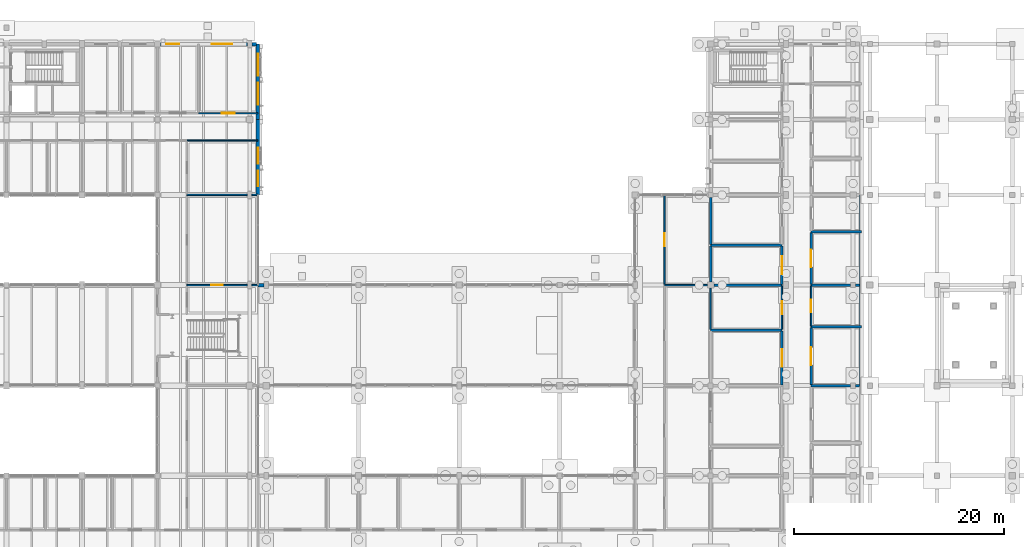
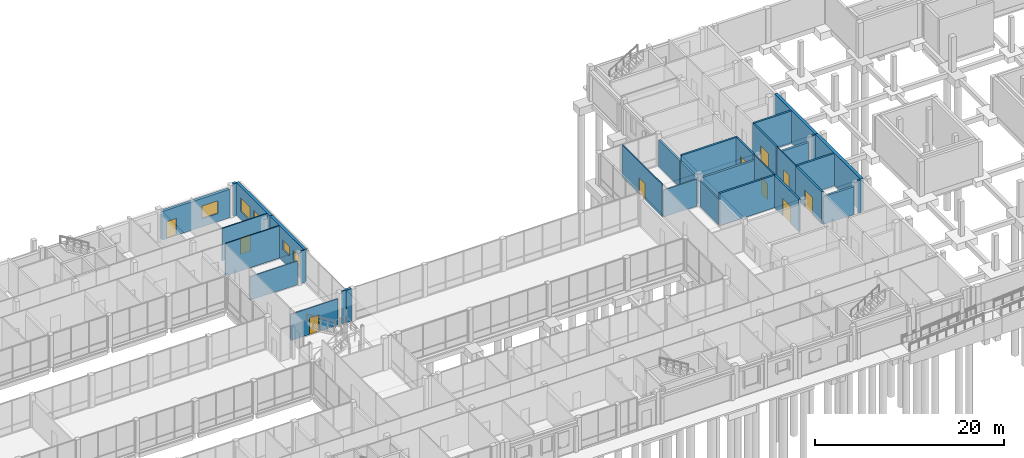
# One storey, part 81 of 104: 33 walls, 10 doors, 5 windows, 15 openings.
"""IFC4 building model written with IfcOpenShell, lengths in metres."""

import ifcopenshell
import ifcopenshell.guid

model = None  # the IFC model being written
_history = None  # IfcOwnerHistory: only IFC2X3 demands one
_inside = {}  # id of a spatial element -> (the spatial element, [elements in it])
_under = {}  # id of a project, library or spatial element -> (it, [spatial elements below it])
_declared = {}  # id of a project -> (the project, [libraries it declares])
_typed = {}  # id of a type object -> (the type object, [elements of that type])
_made_of = {}  # id of a material, layer set ... -> (it, [elements and type objects made of it])


def new_model(schema):
    """Start an empty IFC model of exactly this schema.

    Asked for "IFC4X3", IfcOpenShell would pick the latest addendum, in which some entities
    have other attributes; the version numbers below select the first issue.
    IFC2X3 requires an IfcOwnerHistory on every rooted entity: one is made here for all.
    """
    global model, _history
    if schema == "IFC4X3":
        model = ifcopenshell.file(schema_version=(4, 3, 0, 0))
    else:
        model = ifcopenshell.file(schema=schema)
    _inside.clear()
    _under.clear()
    _declared.clear()
    _typed.clear()
    _made_of.clear()
    _history = None
    if model.schema == "IFC2X3":
        org = make("IfcOrganization", Name="unknown")
        user = make(
            "IfcPersonAndOrganization",
            ThePerson=make("IfcPerson", FamilyName="unknown"),
            TheOrganization=org,
        )
        app = make(
            "IfcApplication",
            ApplicationDeveloper=org,
            Version="unknown",
            ApplicationFullName="unknown",
            ApplicationIdentifier="unknown",
        )
        _history = make(
            "IfcOwnerHistory",
            OwningUser=user,
            OwningApplication=app,
            ChangeAction="ADDED",
            CreationDate=0,
        )
    return model


def make(cls, **values):
    """One entity of the class cls with the attributes given. An attribute that is None is left unset."""
    return model.create_entity(
        cls, **{name: value for name, value in values.items() if value is not None}
    )


def rooted(cls, **values):
    """An entity with a GlobalId (a new one), such as an element, a storey or a relation."""
    return make(cls, GlobalId=ifcopenshell.guid.new(), OwnerHistory=_history, **values)


def si_unit(unit_type, name, prefix=None):
    """IfcSIUnit, for example si_unit("LENGTHUNIT", "METRE", prefix="MILLI")."""
    return make("IfcSIUnit", UnitType=unit_type, Prefix=prefix, Name=name)


def assignment(units):
    """IfcUnitAssignment: the units of a project."""
    return None if units is None else make("IfcUnitAssignment", Units=units)


def point(xyz):
    """IfcCartesianPoint."""
    return None if xyz is None else make("IfcCartesianPoint", Coordinates=xyz)


def direction(xyz):
    """IfcDirection."""
    return None if xyz is None else make("IfcDirection", DirectionRatios=xyz)


def frame(location, z_axis=None, x_axis=None):
    """IfcAxis2Placement3D, a coordinate frame: its origin and axes. An axis left out is left unset."""
    return make(
        "IfcAxis2Placement3D",
        Location=point(location),
        Axis=direction(z_axis),
        RefDirection=direction(x_axis),
    )


def frame_2d(location, x_axis=None):
    """IfcAxis2Placement2D, a coordinate frame in the plane: its origin and x axis."""
    return make(
        "IfcAxis2Placement2D", Location=point(location), RefDirection=direction(x_axis)
    )


def origin():
    """The frame at (0, 0, 0) with its axes left unset."""
    return frame((0.0, 0.0, 0.0))


def place(relative_to, where):
    """IfcLocalPlacement: puts the frame where relative to a parent placement (None: the world)."""
    return make(
        "IfcLocalPlacement", PlacementRelTo=relative_to, RelativePlacement=where
    )


def context(
    kind, dimensions, precision=None, world=None, true_north=None, identifier=None
):
    """IfcGeometricRepresentationContext, for example the 3D "Model" context."""
    return make(
        "IfcGeometricRepresentationContext",
        ContextIdentifier=identifier,
        ContextType=kind,
        CoordinateSpaceDimension=dimensions,
        Precision=precision,
        WorldCoordinateSystem=world,
        TrueNorth=true_north,
    )


def subcontext(parent, identifier, kind, view, scale=None):
    """IfcGeometricRepresentationSubContext, for example "Body" below "Model"."""
    return make(
        "IfcGeometricRepresentationSubContext",
        ContextIdentifier=identifier,
        ContextType=kind,
        ParentContext=parent,
        TargetScale=scale,
        TargetView=view,
    )


def project(units=None, contexts=None):
    """IfcProject with its units and contexts."""
    return rooted(
        "IfcProject",
        Name="project",
        RepresentationContexts=contexts,
        UnitsInContext=assignment(units),
    )


def spatial(cls, under=None, at=None, **own):
    """A site, building, storey or space (cls), placed at a placement, below another one or the project."""
    s = rooted(cls, ObjectPlacement=at, **own)
    if under is not None:
        _under.setdefault(under.id(), (under, []))[1].append(s)
    return s


def profile(cls, at=None, kind="AREA", **sizes):
    """A parametric profile (cls). Its sizes go by their IFC names, for example OverallWidth=200.0."""
    return make(cls, ProfileType=kind, Position=at, **sizes)


def rectangle(**sizes):
    """IfcRectangleProfileDef."""
    return profile("IfcRectangleProfileDef", **sizes)


def extrude(swept, where, along, depth):
    """IfcExtrudedAreaSolid: the profile swept, set in the frame where, extruded along a direction by depth."""
    return make(
        "IfcExtrudedAreaSolid",
        SweptArea=swept,
        Position=where,
        ExtrudedDirection=direction(along),
        Depth=depth,
    )


def shape(context_of_items, identifier, shape_type, items):
    """IfcShapeRepresentation: the items that make up one representation, for example the "Body"."""
    return make(
        "IfcShapeRepresentation",
        ContextOfItems=context_of_items,
        RepresentationIdentifier=identifier,
        RepresentationType=shape_type,
        Items=items,
    )


def material(Name=None, Category=None):
    """IfcMaterial."""
    return make("IfcMaterial", Name=Name, Category=Category)


def layer(
    of_material, thickness, ventilated=None, Name=None, Category=None, Priority=None
):
    """IfcMaterialLayer: one layer of a wall or slab, of a material (None: an air gap)."""
    return make(
        "IfcMaterialLayer",
        Material=of_material,
        LayerThickness=thickness,
        IsVentilated=ventilated,
        Name=Name,
        Category=Category,
        Priority=Priority,
    )


def layer_set(layers, Name=None):
    """IfcMaterialLayerSet."""
    return make("IfcMaterialLayerSet", MaterialLayers=layers, LayerSetName=Name)


def made_of(thing, what):
    """Note that an element or type object is made of a material, layer set ...; save() writes the relation."""
    if what is not None:
        _made_of.setdefault(what.id(), (what, []))[1].append(thing)
    return thing


def type_object(cls, material=None, **own):
    """A type object (cls), such as IfcWallType, which elements share."""
    return made_of(rooted(cls, **own), material)


def element(
    cls,
    number,
    at=None,
    inside=None,
    cuts=None,
    type_object=None,
    material=None,
    context=None,
    identifier="Body",
    shape_type=None,
    held_by="IfcProductDefinitionShape",
    body=None,
    shapes=None,
    **own,
):
    """One element of the class cls, such as IfcWall. Its Tag is "e" and its number.

    at: its placement. inside: the storey or other place that contains it. cuts: it is an
    opening in that element (IfcRelVoidsElement). A single representation is given by context,
    identifier, shape_type and body (its items); several are given by shapes. held_by: the class
    of the entity that holds the representations. save() writes the other relations.
    """
    e = rooted(cls, Tag="e%d" % number, ObjectPlacement=at, **own)
    if body is not None:
        shapes = [shape(context, identifier, shape_type, body)]
    if shapes is not None:
        e.Representation = make(held_by, Representations=shapes)
    if inside is not None:
        _inside.setdefault(inside.id(), (inside, []))[1].append(e)
    if cuts is not None:
        rooted(
            "IfcRelVoidsElement", RelatingBuildingElement=cuts, RelatedOpeningElement=e
        )
    if type_object is not None:
        _typed.setdefault(type_object.id(), (type_object, []))[1].append(e)
    return made_of(e, material)


def fill(opening, filler):
    """IfcRelFillsElement: the door or window that sits in an opening."""
    return rooted(
        "IfcRelFillsElement",
        RelatingOpeningElement=opening,
        RelatedBuildingElement=filler,
    )


def aggregate(whole, parts):
    """IfcRelAggregates: a whole, such as a stair, and the parts it consists of."""
    return rooted("IfcRelAggregates", RelatingObject=whole, RelatedObjects=parts)


def save(model, path):
    """Write the relations noted so far, then the file.

    IfcRelAggregates (storeys below a building ...), IfcRelContainedInSpatialStructure (elements
    in a storey), IfcRelDefinesByType, IfcRelAssociatesMaterial and IfcRelDeclares: one each for
    every whole, place, type object, material and project.
    """
    for whole, parts in _under.values():
        aggregate(whole, parts)
    for where, things in _inside.values():
        rooted(
            "IfcRelContainedInSpatialStructure",
            RelatedElements=things,
            RelatingStructure=where,
        )
    for kind, things in _typed.values():
        rooted("IfcRelDefinesByType", RelatedObjects=things, RelatingType=kind)
    for what, things in _made_of.values():
        rooted("IfcRelAssociatesMaterial", RelatedObjects=things, RelatingMaterial=what)
    for by, libraries in _declared.values():
        rooted("IfcRelDeclares", RelatingContext=by, RelatedDefinitions=libraries)
    model.write(path)


model = new_model("IFC4")

# Units and contexts
model_context = context("Model", 3, precision=1e-05, world=origin(), true_north=direction((0.0, 1.0)))
body_context = subcontext(model_context, "Body", "Model", "MODEL_VIEW")
ifc_project = project(units=[si_unit("LENGTHUNIT", "METRE"), si_unit("AREAUNIT", "SQUARE_METRE"), si_unit("VOLUMEUNIT", "CUBIC_METRE"), si_unit("PLANEANGLEUNIT", "RADIAN"), si_unit("MASSUNIT", "GRAM", prefix="KILO")], contexts=[model_context])

# Site, building, storey
site_placement = place(None, origin())
site = spatial("IfcSite", under=ifc_project, at=site_placement, CompositionType="ELEMENT")
building_placement = place(site_placement, origin())
building = spatial("IfcBuilding", under=site, at=building_placement, Name="Hawrajan Terrace Health Centre", CompositionType="ELEMENT")
storey_placement = place(building_placement, origin())
storey = spatial("IfcBuildingStorey", under=building, at=storey_placement, Name="L00", CompositionType="ELEMENT", Elevation=0.0)

# Wall, opening, door
ifc_material_1 = material(Name="Gypsum board on acoustic stud framing")
ifc_layer_1 = layer(ifc_material_1, 0.139892578125)
ifc_layer_set_1 = layer_set([ifc_layer_1], Name="Gypsum board on acoustic stud framing")
wall_type_1 = type_object("IfcWallType", Name="ClinicalAcousticWall_140", PredefinedType="PARTITIONING", material=ifc_layer_set_1)
wall_1_placement = place(storey_placement, frame((65.0, 36.800048828125, 0.0), z_axis=(0.0, 0.0, 1.0), x_axis=(1.0, 0.0, 0.0)))
wall_1 = element("IfcWall", 1, at=wall_1_placement, inside=storey, type_object=wall_type_1, Name="Interior wall IW-L00-0352", PredefinedType="PARTITIONING", context=body_context, shape_type="SweptSolid", body=[
    extrude(rectangle(XDim=5.77490234375, YDim=0.139892578125, at=frame_2d((2.887451171875, 0.0))), origin(), (0.0, 0.0, 1.0), 3.39990234375),
])
opening_1_placement = place(wall_1_placement, frame((2.327392578125, 0.0, 0.0)))
opening_1 = element("IfcOpeningElement", 2, at=opening_1_placement, cuts=wall_1, Name="Opening D-L00-138", PredefinedType="OPENING", context=body_context, shape_type="SweptSolid", body=[
    extrude(rectangle(XDim=1.1201171875, YDim=2.14990234375, at=frame_2d((0.56005859375, 1.074951171875))), frame((0.0, 0.079833984375, 0.0), z_axis=(0.0, -1.0, 0.0), x_axis=(1.0, 0.0, 0.0)), (0.0, 0.0, 1.0), 0.159912109375),
])
ifc_material_2 = material(Name="Hardwood acoustic clinical door leaf and frame", Category="wood")
door_type_1 = type_object("IfcDoorType", Name="DentalSurgeryDoor_1120x2150", OperationType="NOTDEFINED", PredefinedType="DOOR", material=ifc_material_2)
door_1_placement = place(opening_1_placement, origin())
door_1 = element("IfcDoor", 3, at=door_1_placement, inside=storey, type_object=door_type_1, Name="Interior door D-L00-138", OperationType="SINGLE_SWING_RIGHT", OverallHeight=2.14990234375, OverallWidth=1.1201171875, PredefinedType="DOOR", context=body_context, shape_type="SweptSolid", body=[
    extrude(rectangle(XDim=1.1201171875, YDim=2.14990234375, at=frame_2d((0.56005859375, 1.074951171875))), frame((0.0, 0.02490234375, 0.0), z_axis=(0.0, -1.0, 0.0), x_axis=(1.0, 0.0, 0.0)), (0.0, 0.0, 1.0), 0.050048828125),
])
fill(opening_1, door_1)

# Walls
wall_2_placement = place(storey_placement, frame((71.22509765625, 36.800048828125, 0.0), z_axis=(0.0, 0.0, 1.0), x_axis=(1.0, 0.0, 0.0)))
element("IfcWall", 4, at=wall_2_placement, inside=storey, type_object=wall_type_1, Name="Interior wall IW-L00-0353", PredefinedType="PARTITIONING", context=body_context, shape_type="SweptSolid", body=[
    extrude(rectangle(XDim=0.56982421875, YDim=0.139892578125, at=frame_2d((0.284912109375, 0.0))), origin(), (0.0, 0.0, 1.0), 4.179931640625),
])
wall_3_placement = place(storey_placement, frame((65.0, 45.39990234375, 0.0), z_axis=(0.0, 0.0, 1.0), x_axis=(1.0, 0.0, 0.0)))
element("IfcWall", 5, at=wall_3_placement, inside=storey, type_object=wall_type_1, Name="Interior wall IW-L00-0355", PredefinedType="PARTITIONING", context=body_context, shape_type="SweptSolid", body=[
    extrude(rectangle(XDim=5.77490234375, YDim=0.139892578125, at=frame_2d((2.887451171875, 0.0))), origin(), (0.0, 0.0, 1.0), 3.050048828125),
])
wall_4_placement = place(storey_placement, frame((71.22509765625, 45.39990234375, 0.0), z_axis=(0.0, 0.0, 1.0), x_axis=(1.0, 0.0, 0.0)))
element("IfcWall", 6, at=wall_4_placement, inside=storey, type_object=wall_type_1, Name="Interior wall IW-L00-0356", PredefinedType="PARTITIONING", context=body_context, shape_type="SweptSolid", body=[
    extrude(rectangle(XDim=0.56982421875, YDim=0.139892578125, at=frame_2d((0.284912109375, 0.0))), origin(), (0.0, 0.0, 1.0), 4.179931640625),
])
wall_5_placement = place(storey_placement, frame((65.0, 50.60009765625, 0.0), z_axis=(0.0, 0.0, 1.0), x_axis=(1.0, 0.0, 0.0)))
element("IfcWall", 7, at=wall_5_placement, inside=storey, type_object=wall_type_1, Name="Interior wall IW-L00-0357", PredefinedType="PARTITIONING", context=body_context, shape_type="SweptSolid", body=[
    extrude(rectangle(XDim=6.794921875, YDim=0.139892578125, at=frame_2d((3.3974609375, 0.0))), origin(), (0.0, 0.0, 1.0), 4.179931640625),
])

# Wall, opening, door
wall_6_placement = place(storey_placement, frame((66.10498046875, 53.199951171875, 0.0), z_axis=(0.0, 0.0, 1.0), x_axis=(1.0, 0.0, 0.0)))
wall_6 = element("IfcWall", 8, at=wall_6_placement, inside=storey, type_object=wall_type_1, Name="Interior wall IW-L00-0361", PredefinedType="PARTITIONING", context=body_context, shape_type="SweptSolid", body=[
    extrude(rectangle(XDim=5.68994140625, YDim=0.139892578125, at=frame_2d((2.844970703125, 0.0))), origin(), (0.0, 0.0, 1.0), 4.179931640625),
])
opening_2_placement = place(wall_6_placement, frame((2.235107421875, 0.0, 0.0)))
opening_2 = element("IfcOpeningElement", 9, at=opening_2_placement, cuts=wall_6, Name="Opening D-L00-182", PredefinedType="OPENING", context=body_context, shape_type="SweptSolid", body=[
    extrude(rectangle(XDim=1.219970703125, YDim=2.10009765625, at=frame_2d((0.60986328125, 1.050048828125))), frame((0.0, 0.079833984375, 0.0), z_axis=(0.0, -1.0, 0.0), x_axis=(1.0, 0.0, 0.0)), (0.0, 0.0, 1.0), 0.159912109375),
])
door_type_2 = type_object("IfcDoorType", Name="ConsultDoor_1220x2100", OperationType="NOTDEFINED", PredefinedType="DOOR", material=ifc_material_2)
door_2_placement = place(opening_2_placement, origin())
door_2 = element("IfcDoor", 10, at=door_2_placement, inside=storey, type_object=door_type_2, Name="Interior door D-L00-182", OperationType="SINGLE_SWING_RIGHT", OverallHeight=2.10009765625, OverallWidth=1.219970703125, PredefinedType="DOOR", context=body_context, shape_type="SweptSolid", body=[
    extrude(rectangle(XDim=1.219970703125, YDim=2.10009765625, at=frame_2d((0.60986328125, 1.050048828125))), frame((0.0, 0.02490234375, 0.0), z_axis=(0.0, -1.0, 0.0), x_axis=(1.0, 0.0, 0.0)), (0.0, 0.0, 1.0), 0.050048828125),
])
fill(opening_2, door_2)

wall_7_placement = place(storey_placement, frame((110.60009765625, 36.8701171875, 0.0), z_axis=(0.0, 0.0, 1.0), x_axis=(0.0, 1.0, 0.0)))
wall_7 = element("IfcWall", 11, at=wall_7_placement, inside=storey, type_object=wall_type_1, Name="Interior wall IW-L00-0400", PredefinedType="PARTITIONING", context=body_context, shape_type="SweptSolid", body=[
    extrude(rectangle(XDim=8.52978515625, YDim=0.139892578125, at=frame_2d((4.264892578125, 0.0))), origin(), (0.0, 0.0, 1.0), 4.179931640625),
])
opening_3_placement = place(wall_7_placement, frame((3.655029296875, 0.0, 0.0)))
opening_3 = element("IfcOpeningElement", 12, at=opening_3_placement, cuts=wall_7, Name="Opening D-L00-152", PredefinedType="OPENING", context=body_context, shape_type="SweptSolid", body=[
    extrude(rectangle(XDim=1.219970703125, YDim=2.10009765625, at=frame_2d((0.60986328125, 1.050048828125))), frame((0.0, 0.079833984375, 0.0), z_axis=(0.0, -1.0, 0.0), x_axis=(1.0, 0.0, 0.0)), (0.0, 0.0, 1.0), 0.159912109375),
])
door_3_placement = place(opening_3_placement, origin())
door_3 = element("IfcDoor", 13, at=door_3_placement, inside=storey, type_object=door_type_2, Name="Interior door D-L00-152", OperationType="SINGLE_SWING_RIGHT", OverallHeight=2.10009765625, OverallWidth=1.219970703125, PredefinedType="DOOR", context=body_context, shape_type="SweptSolid", body=[
    extrude(rectangle(XDim=1.219970703125, YDim=2.10009765625, at=frame_2d((0.60986328125, 1.050048828125))), frame((0.0, 0.02490234375, 0.0), z_axis=(0.0, -1.0, 0.0), x_axis=(1.0, 0.0, 0.0)), (0.0, 0.0, 1.0), 0.050048828125),
])
fill(opening_3, door_3)

# Walls
wall_8_placement = place(storey_placement, frame((110.60009765625, 36.800048828125, 0.0), z_axis=(0.0, 0.0, 1.0), x_axis=(1.0, 0.0, 0.0)))
element("IfcWall", 14, at=wall_8_placement, inside=storey, type_object=wall_type_1, Name="Interior wall IW-L00-0401", PredefinedType="PARTITIONING", context=body_context, shape_type="SweptSolid", body=[
    extrude(rectangle(XDim=4.099853515625, YDim=0.139892578125, at=frame_2d((2.0498046875, 0.0))), origin(), (0.0, 0.0, 1.0), 3.5),
])
wall_9_placement = place(storey_placement, frame((115.0, 32.56005859375, 0.0), z_axis=(0.0, 0.0, 1.0), x_axis=(0.0, 1.0, 0.0)))
element("IfcWall", 15, at=wall_9_placement, inside=storey, type_object=wall_type_1, Name="Interior wall IW-L00-0415", PredefinedType="PARTITIONING", context=body_context, shape_type="SweptSolid", body=[
    extrude(rectangle(XDim=3.93994140625, YDim=0.139892578125, at=frame_2d((1.969970703125, 0.0))), origin(), (0.0, 0.0, 1.0), 3.39990234375),
])

# Wall, opening, door
wall_10_placement = place(storey_placement, frame((121.800048828125, 32.56005859375, 0.0), z_axis=(0.0, 0.0, 1.0), x_axis=(0.0, 1.0, 0.0)))
wall_10 = element("IfcWall", 16, at=wall_10_placement, inside=storey, type_object=wall_type_1, Name="Interior wall IW-L00-0430", PredefinedType="PARTITIONING", context=body_context, shape_type="SweptSolid", body=[
    extrude(rectangle(XDim=4.169921875, YDim=0.139892578125, at=frame_2d((2.0849609375, 0.0))), origin(), (0.0, 0.0, 1.0), 4.179931640625),
])
opening_4_placement = place(wall_10_placement, frame((1.47509765625, 0.0, 0.0)))
opening_4 = element("IfcOpeningElement", 17, at=opening_4_placement, cuts=wall_10, Name="Opening D-L00-222", PredefinedType="OPENING", context=body_context, shape_type="SweptSolid", body=[
    extrude(rectangle(XDim=1.219970703125, YDim=2.10009765625, at=frame_2d((0.60986328125, 1.050048828125))), frame((0.0, 0.079833984375, 0.0), z_axis=(0.0, -1.0, 0.0), x_axis=(1.0, 0.0, 0.0)), (0.0, 0.0, 1.0), 0.159912109375),
])
door_4_placement = place(opening_4_placement, origin())
door_4 = element("IfcDoor", 18, at=door_4_placement, inside=storey, type_object=door_type_2, Name="Interior door D-L00-222", OperationType="SINGLE_SWING_RIGHT", OverallHeight=2.10009765625, OverallWidth=1.219970703125, PredefinedType="DOOR", context=body_context, shape_type="SweptSolid", body=[
    extrude(rectangle(XDim=1.219970703125, YDim=2.10009765625, at=frame_2d((0.60986328125, 1.050048828125))), frame((0.0, 0.02490234375, 0.0), z_axis=(0.0, -1.0, 0.0), x_axis=(1.0, 0.0, 0.0)), (0.0, 0.0, 1.0), 0.050048828125),
])
fill(opening_4, door_4)

wall_11_placement = place(storey_placement, frame((124.60009765625, 32.885986328125, 0.0), z_axis=(0.0, 0.0, 1.0), x_axis=(0.0, 1.0, 0.0)))
wall_11 = element("IfcWall", 19, at=wall_11_placement, inside=storey, type_object=wall_type_1, Name="Interior wall IW-L00-0449", PredefinedType="PARTITIONING", context=body_context, shape_type="SweptSolid", body=[
    extrude(rectangle(XDim=3.843994140625, YDim=0.139892578125, at=frame_2d((1.921875, 0.0))), origin(), (0.0, 0.0, 1.0), 4.179931640625),
])
opening_5_placement = place(wall_11_placement, frame((1.31201171875, 0.0, 0.0)))
opening_5 = element("IfcOpeningElement", 20, at=opening_5_placement, cuts=wall_11, Name="Opening D-L00-232", PredefinedType="OPENING", context=body_context, shape_type="SweptSolid", body=[
    extrude(rectangle(XDim=1.219970703125, YDim=2.10009765625, at=frame_2d((0.60986328125, 1.050048828125))), frame((0.0, 0.079833984375, 0.0), z_axis=(0.0, -1.0, 0.0), x_axis=(1.0, 0.0, 0.0)), (0.0, 0.0, 1.0), 0.159912109375),
])
door_5_placement = place(opening_5_placement, origin())
door_5 = element("IfcDoor", 21, at=door_5_placement, inside=storey, type_object=door_type_2, Name="Interior door D-L00-232", OperationType="SINGLE_SWING_RIGHT", OverallHeight=2.10009765625, OverallWidth=1.219970703125, PredefinedType="DOOR", context=body_context, shape_type="SweptSolid", body=[
    extrude(rectangle(XDim=1.219970703125, YDim=2.10009765625, at=frame_2d((0.60986328125, 1.050048828125))), frame((0.0, 0.02490234375, 0.0), z_axis=(0.0, -1.0, 0.0), x_axis=(1.0, 0.0, 0.0)), (0.0, 0.0, 1.0), 0.050048828125),
])
fill(opening_5, door_5)

# Wall, openings, window, door
ifc_material_3 = material(Name="Precast concrete C40/50", Category="concrete")
ifc_layer_2 = layer(ifc_material_3, 0.340087890625)
ifc_layer_set_2 = layer_set([ifc_layer_2], Name="Precast concrete C40/50")
wall_type_2 = type_object("IfcWallType", Name="CoralAshlarWall_340", PredefinedType="SOLIDWALL", material=ifc_layer_set_2)
wall_12_placement = place(storey_placement, frame((62.5, 59.800048828125, 0.0), z_axis=(0.0, 0.0, 1.0), x_axis=(1.0, 0.0, 0.0)))
wall_12 = element("IfcWall", 22, at=wall_12_placement, inside=storey, type_object=wall_type_2, Name="Exterior wall EW-L00-H08-07-1", PredefinedType="SOLIDWALL", context=body_context, shape_type="SweptSolid", body=[
    extrude(rectangle(XDim=8.27490234375, YDim=0.340087890625, at=frame_2d((4.137451171875, 0.0))), origin(), (0.0, 0.0, 1.0), 3.679931640625),
])
opening_6_placement = place(wall_12_placement, frame((0.550048828125, 0.0, 0.0)))
opening_6 = element("IfcOpeningElement", 23, at=opening_6_placement, cuts=wall_12, Name="Opening D-L00-E010", PredefinedType="OPENING", context=body_context, shape_type="SweptSolid", body=[
    extrude(rectangle(XDim=1.219970703125, YDim=2.199951171875, at=frame_2d((0.60986328125, 1.10009765625))), frame((0.0, 0.179931640625, 0.0), z_axis=(0.0, -1.0, 0.0), x_axis=(1.0, 0.0, 0.0)), (0.0, 0.0, 1.0), 0.360107421875),
])
opening_7_placement = place(wall_12_placement, frame((4.900146484375, 0.0, 1.050048828125)))
opening_7 = element("IfcOpeningElement", 24, at=opening_7_placement, cuts=wall_12, Name="Opening W-L00-031", PredefinedType="OPENING", context=body_context, shape_type="SweptSolid", body=[
    extrude(rectangle(XDim=1.9599609375, YDim=1.64990234375, at=frame_2d((0.97998046875, 0.824951171875))), frame((0.0, 0.179931640625, 0.0), z_axis=(0.0, -1.0, 0.0), x_axis=(1.0, 0.0, 0.0)), (0.0, 0.0, 1.0), 0.360107421875),
])
ifc_material_4 = material(Name="Anodized bronze frame with double low-E glazing", Category="glass")
window_type_1 = type_object("IfcWindowType", Name="FacadeWindow_1960x1650", PartitioningType="DOUBLE_PANEL_VERTICAL", PredefinedType="WINDOW", material=ifc_material_4)
window_1_placement = place(opening_7_placement, origin())
window_1 = element("IfcWindow", 25, at=window_1_placement, inside=storey, type_object=window_type_1, Name="Window W-L00-031", OverallHeight=1.64990234375, OverallWidth=1.9599609375, PartitioningType="DOUBLE_PANEL_VERTICAL", PredefinedType="WINDOW", context=body_context, shape_type="SweptSolid", body=[
    extrude(rectangle(XDim=1.9599609375, YDim=1.64990234375, at=frame_2d((0.97998046875, 0.824951171875))), frame((0.0, 0.030029296875, 0.0), z_axis=(0.0, -1.0, 0.0), x_axis=(1.0, 0.0, 0.0)), (0.0, 0.0, 1.0), 0.06005859375),
])
fill(opening_7, window_1)
ifc_material_5 = material(Name="Anodized bronze thermally broken fire-rated glazed door")
door_type_3 = type_object("IfcDoorType", Name="StairDischargeDoor_1220x2200", OperationType="NOTDEFINED", PredefinedType="DOOR", material=ifc_material_5)
door_6_placement = place(opening_6_placement, origin())
door_6 = element("IfcDoor", 26, at=door_6_placement, inside=storey, type_object=door_type_3, Name="North East Wing Final Exit Door D-L00-E010", OperationType="SINGLE_SWING_RIGHT", OverallHeight=2.199951171875, OverallWidth=1.219970703125, PredefinedType="DOOR", context=body_context, shape_type="SweptSolid", body=[
    extrude(rectangle(XDim=1.219970703125, YDim=2.199951171875, at=frame_2d((0.60986328125, 1.10009765625))), frame((0.0, 0.02490234375, 0.0), z_axis=(0.0, -1.0, 0.0), x_axis=(1.0, 0.0, 0.0)), (0.0, 0.0, 1.0), 0.050048828125),
])
fill(opening_6, door_6)

# Wall
wall_13_placement = place(storey_placement, frame((71.22509765625, 59.800048828125, 0.0), z_axis=(0.0, 0.0, 1.0), x_axis=(1.0, 0.0, 0.0)))
element("IfcWall", 27, at=wall_13_placement, inside=storey, type_object=wall_type_2, Name="Exterior wall EW-L00-H08-07-2", PredefinedType="SOLIDWALL", context=body_context, shape_type="SweptSolid", body=[
    extrude(rectangle(XDim=0.419921875, YDim=0.340087890625, at=frame_2d((0.2099609375, 0.0))), origin(), (0.0, 0.0, 1.0), 4.199951171875),
])

# Wall, openings, windows
wall_14_placement = place(storey_placement, frame((71.794921875, 52.60009765625, 0.0), z_axis=(0.0, 0.0, 1.0), x_axis=(0.0, 1.0, 0.0)))
wall_14 = element("IfcWall", 28, at=wall_14_placement, inside=storey, type_object=wall_type_2, Name="Exterior wall EW-L00-V09-06-1", PredefinedType="SOLIDWALL", context=body_context, shape_type="SweptSolid", body=[
    extrude(rectangle(XDim=7.199951171875, YDim=0.340087890625, at=frame_2d((3.60009765625, 0.0))), origin(), (0.0, 0.0, 1.0), 4.199951171875),
])
opening_8_placement = place(wall_14_placement, frame((1.419921875, 0.0, 1.0)))
opening_8 = element("IfcOpeningElement", 29, at=opening_8_placement, cuts=wall_14, Name="Opening W-L00-032", PredefinedType="OPENING", context=body_context, shape_type="SweptSolid", body=[
    extrude(rectangle(XDim=2.080078125, YDim=1.800048828125, at=frame_2d((1.0400390625, 0.89990234375))), frame((0.0, 0.179931640625, 0.0), z_axis=(0.0, -1.0, 0.0), x_axis=(1.0, 0.0, 0.0)), (0.0, 0.0, 1.0), 0.360107421875),
])
opening_9_placement = place(wall_14_placement, frame((4.179931640625, 0.0, 1.0)))
opening_9 = element("IfcOpeningElement", 30, at=opening_9_placement, cuts=wall_14, Name="Opening W-L00-033", PredefinedType="OPENING", context=body_context, shape_type="SweptSolid", body=[
    extrude(rectangle(XDim=2.080078125, YDim=1.800048828125, at=frame_2d((1.0400390625, 0.89990234375))), frame((0.0, 0.179931640625, 0.0), z_axis=(0.0, -1.0, 0.0), x_axis=(1.0, 0.0, 0.0)), (0.0, 0.0, 1.0), 0.360107421875),
])
window_type_2 = type_object("IfcWindowType", Name="FacadeWindow_2080x1800", PartitioningType="DOUBLE_PANEL_VERTICAL", PredefinedType="WINDOW", material=ifc_material_4)
window_2_placement = place(opening_8_placement, origin())
window_2 = element("IfcWindow", 31, at=window_2_placement, inside=storey, type_object=window_type_2, Name="Window W-L00-032", OverallHeight=1.800048828125, OverallWidth=2.080078125, PartitioningType="DOUBLE_PANEL_VERTICAL", PredefinedType="WINDOW", context=body_context, shape_type="SweptSolid", body=[
    extrude(rectangle(XDim=2.080078125, YDim=1.800048828125, at=frame_2d((1.0400390625, 0.89990234375))), frame((0.0, 0.030029296875, 0.0), z_axis=(0.0, -1.0, 0.0), x_axis=(1.0, 0.0, 0.0)), (0.0, 0.0, 1.0), 0.06005859375),
])
fill(opening_8, window_2)
window_3_placement = place(opening_9_placement, origin())
window_3 = element("IfcWindow", 32, at=window_3_placement, inside=storey, type_object=window_type_2, Name="Window W-L00-033", OverallHeight=1.800048828125, OverallWidth=2.080078125, PartitioningType="DOUBLE_PANEL_VERTICAL", PredefinedType="WINDOW", context=body_context, shape_type="SweptSolid", body=[
    extrude(rectangle(XDim=2.080078125, YDim=1.800048828125, at=frame_2d((1.0400390625, 0.89990234375))), frame((0.0, 0.030029296875, 0.0), z_axis=(0.0, -1.0, 0.0), x_axis=(1.0, 0.0, 0.0)), (0.0, 0.0, 1.0), 0.06005859375),
])
fill(opening_9, window_3)

# Wall
wall_15_placement = place(storey_placement, frame((71.804931640625, 36.800048828125, 0.0), z_axis=(0.0, 0.0, 1.0), x_axis=(1.0, 0.0, 0.0)))
element("IfcWall", 33, at=wall_15_placement, inside=storey, type_object=wall_type_2, Name="Exterior wall EW-L00-H09-04-1", PredefinedType="SOLIDWALL", context=body_context, shape_type="SweptSolid", body=[
    extrude(rectangle(XDim=0.570068359375, YDim=0.340087890625, at=frame_2d((0.28515625, 0.0))), origin(), (0.0, 0.0, 1.0), 4.199951171875),
])

# Wall, openings, windows
ifc_layer_3 = layer(ifc_material_3, 0.360107421875)
ifc_layer_set_3 = layer_set([ifc_layer_3], Name="Precast concrete C40/50")
wall_type_3 = type_object("IfcWallType", Name="CoralPodiumWall_360", PredefinedType="SOLIDWALL", material=ifc_layer_set_3)
wall_16_placement = place(storey_placement, frame((71.794921875, 45.39990234375, 0.0), z_axis=(0.0, 0.0, 1.0), x_axis=(0.0, 1.0, 0.0)))
wall_16 = element("IfcWall", 34, at=wall_16_placement, inside=storey, type_object=wall_type_3, Name="Exterior wall EW-L00-V09-05-1", PredefinedType="SOLIDWALL", context=body_context, shape_type="SweptSolid", body=[
    extrude(rectangle(XDim=7.2001953125, YDim=0.360107421875, at=frame_2d((3.60009765625, 0.0))), origin(), (0.0, 0.0, 1.0), 4.199951171875),
])
opening_10_placement = place(wall_16_placement, frame((0.820068359375, 0.0, 1.5)))
opening_10 = element("IfcOpeningElement", 35, at=opening_10_placement, cuts=wall_16, Name="Opening W-L00-029", PredefinedType="OPENING", context=body_context, shape_type="SweptSolid", body=[
    extrude(rectangle(XDim=1.5, YDim=1.25, at=frame_2d((0.75, 0.625))), frame((0.0, 0.18994140625, 0.0), z_axis=(0.0, -1.0, 0.0), x_axis=(1.0, 0.0, 0.0)), (0.0, 0.0, 1.0), 0.380126953125),
])
opening_11_placement = place(wall_16_placement, frame((3.0, 0.0, 1.5)))
opening_11 = element("IfcOpeningElement", 36, at=opening_11_placement, cuts=wall_16, Name="Opening W-L00-030", PredefinedType="OPENING", context=body_context, shape_type="SweptSolid", body=[
    extrude(rectangle(XDim=1.5, YDim=1.25, at=frame_2d((0.75, 0.625))), frame((0.0, 0.18994140625, 0.0), z_axis=(0.0, -1.0, 0.0), x_axis=(1.0, 0.0, 0.0)), (0.0, 0.0, 1.0), 0.380126953125),
])
window_type_3 = type_object("IfcWindowType", Name="FacadeWindow_1500x1250", PartitioningType="DOUBLE_PANEL_VERTICAL", PredefinedType="WINDOW", material=ifc_material_4)
window_4_placement = place(opening_10_placement, origin())
window_4 = element("IfcWindow", 37, at=window_4_placement, inside=storey, type_object=window_type_3, Name="Window W-L00-029", OverallHeight=1.25, OverallWidth=1.5, PartitioningType="DOUBLE_PANEL_VERTICAL", PredefinedType="WINDOW", context=body_context, shape_type="SweptSolid", body=[
    extrude(rectangle(XDim=1.5, YDim=1.25, at=frame_2d((0.75, 0.625))), frame((0.0, 0.030029296875, 0.0), z_axis=(0.0, -1.0, 0.0), x_axis=(1.0, 0.0, 0.0)), (0.0, 0.0, 1.0), 0.06005859375),
])
fill(opening_10, window_4)
window_5_placement = place(opening_11_placement, origin())
window_5 = element("IfcWindow", 38, at=window_5_placement, inside=storey, type_object=window_type_3, Name="Window W-L00-030", OverallHeight=1.25, OverallWidth=1.5, PartitioningType="DOUBLE_PANEL_VERTICAL", PredefinedType="WINDOW", context=body_context, shape_type="SweptSolid", body=[
    extrude(rectangle(XDim=1.5, YDim=1.25, at=frame_2d((0.75, 0.625))), frame((0.0, 0.030029296875, 0.0), z_axis=(0.0, -1.0, 0.0), x_axis=(1.0, 0.0, 0.0)), (0.0, 0.0, 1.0), 0.06005859375),
])
fill(opening_11, window_5)

# Walls
ifc_material_6 = material(Name="Concrete C40/50", Category="concrete")
ifc_layer_4 = layer(ifc_material_6, 0.3798828125)
ifc_layer_set_4 = layer_set([ifc_layer_4], Name="Concrete C40/50")
wall_type_4 = type_object("IfcWallType", Name="EscarpmentWall_RC380", PredefinedType="USERDEFINED", material=ifc_layer_set_4)
wall_17_placement = place(storey_placement, frame((129.39501953125, 27.199951171875, 0.0), z_axis=(0.0, 0.0, 1.0), x_axis=(0.0, 1.0, 0.0)))
element("IfcWall", 39, at=wall_17_placement, inside=storey, type_object=wall_type_4, Name="Exterior wall EW-L00-V16-03-1", ObjectType="RETAINING WALL", PredefinedType="USERDEFINED", context=body_context, shape_type="SweptSolid", body=[
    extrude(rectangle(XDim=9.60009765625, YDim=0.3798828125, at=frame_2d((4.800048828125, 0.0))), origin(), (0.0, 0.0, 1.0), 4.199951171875),
])
wall_18_placement = place(storey_placement, frame((129.39501953125, 36.800048828125, 0.0), z_axis=(0.0, 0.0, 1.0), x_axis=(0.0, 1.0, 0.0)))
element("IfcWall", 40, at=wall_18_placement, inside=storey, type_object=wall_type_4, Name="Exterior wall EW-L00-V16-04-1", ObjectType="RETAINING WALL", PredefinedType="USERDEFINED", context=body_context, shape_type="SweptSolid", body=[
    extrude(rectangle(XDim=8.599853515625, YDim=0.3798828125, at=frame_2d((4.2998046875, 0.0))), origin(), (0.0, 0.0, 1.0), 4.199951171875),
])
ifc_layer_5 = layer(ifc_material_6, 0.25)
ifc_layer_set_5 = layer_set([ifc_layer_5], Name="Concrete C40/50")
wall_type_5 = type_object("IfcWallType", Name="RadiationShieldWall_RC250", PredefinedType="SOLIDWALL", material=ifc_layer_set_5)
wall_19_placement = place(storey_placement, frame((115.0, 32.489990234375, 0.0), z_axis=(0.0, 0.0, 1.0), x_axis=(1.0, 0.0, 0.0)))
element("IfcWall", 41, at=wall_19_placement, inside=storey, type_object=wall_type_5, Name="Interior wall IW-L00-0416", PredefinedType="SOLIDWALL", context=body_context, shape_type="SweptSolid", body=[
    extrude(rectangle(XDim=6.800048828125, YDim=0.25, at=frame_2d((3.39990234375, 0.0))), origin(), (0.0, 0.0, 1.0), 4.179931640625),
])
wall_20_placement = place(storey_placement, frame((115.0, 37.10009765625, 0.0), z_axis=(0.0, 0.0, 1.0), x_axis=(0.0, 1.0, 0.0)))
element("IfcWall", 42, at=wall_20_placement, inside=storey, type_object=wall_type_5, Name="Interior wall IW-L00-0417", PredefinedType="SOLIDWALL", context=body_context, shape_type="SweptSolid", body=[
    extrude(rectangle(XDim=3.4228515625, YDim=0.25, at=frame_2d((1.71142578125, 0.0))), origin(), (0.0, 0.0, 1.0), 3.39990234375),
])
wall_21_placement = place(storey_placement, frame((115.300048828125, 36.800048828125, 0.0), z_axis=(0.0, 0.0, 1.0), x_axis=(1.0, 0.0, 0.0)))
element("IfcWall", 43, at=wall_21_placement, inside=storey, type_object=wall_type_5, Name="Interior wall IW-L00-0418", PredefinedType="SOLIDWALL", context=body_context, shape_type="SweptSolid", body=[
    extrude(rectangle(XDim=6.5, YDim=0.25, at=frame_2d((3.25, 0.0))), origin(), (0.0, 0.0, 1.0), 3.5),
])
wall_22_placement = place(storey_placement, frame((115.0, 40.6630859375, 0.0), z_axis=(0.0, 0.0, 1.0), x_axis=(0.0, 1.0, 0.0)))
element("IfcWall", 44, at=wall_22_placement, inside=storey, type_object=wall_type_5, Name="Interior wall IW-L00-0419", PredefinedType="SOLIDWALL", context=body_context, shape_type="SweptSolid", body=[
    extrude(rectangle(XDim=4.48681640625, YDim=0.25, at=frame_2d((2.243408203125, 0.0))), origin(), (0.0, 0.0, 1.0), 3.39990234375),
])
wall_23_placement = place(storey_placement, frame((115.0, 40.593017578125, 0.0), z_axis=(0.0, 0.0, 1.0), x_axis=(1.0, 0.0, 0.0)))
element("IfcWall", 45, at=wall_23_placement, inside=storey, type_object=wall_type_5, Name="Interior wall IW-L00-0420", PredefinedType="SOLIDWALL", context=body_context, shape_type="SweptSolid", body=[
    extrude(rectangle(XDim=6.800048828125, YDim=0.25, at=frame_2d((3.39990234375, 0.0))), origin(), (0.0, 0.0, 1.0), 4.179931640625),
])

# Wall, opening, door
wall_24_placement = place(storey_placement, frame((121.800048828125, 27.27001953125, 0.0), z_axis=(0.0, 0.0, 1.0), x_axis=(0.0, 1.0, 0.0)))
wall_24 = element("IfcWall", 46, at=wall_24_placement, inside=storey, type_object=wall_type_5, Name="Interior wall IW-L00-0429", PredefinedType="SOLIDWALL", context=body_context, shape_type="SweptSolid", body=[
    extrude(rectangle(XDim=5.14990234375, YDim=0.25, at=frame_2d((2.574951171875, 0.0))), origin(), (0.0, 0.0, 1.0), 4.179931640625),
])
opening_12_placement = place(wall_24_placement, frame((1.735107421875, 0.0, 0.0)))
opening_12 = element("IfcOpeningElement", 47, at=opening_12_placement, cuts=wall_24, Name="Opening D-L00-221", PredefinedType="OPENING", context=body_context, shape_type="SweptSolid", body=[
    extrude(rectangle(XDim=1.679931640625, YDim=2.300048828125, at=frame_2d((0.83984375, 1.14990234375))), frame((0.0, 0.135009765625, 0.0), z_axis=(0.0, -1.0, 0.0), x_axis=(1.0, 0.0, 0.0)), (0.0, 0.0, 1.0), 0.27001953125),
])
ifc_material_7 = material(Name="Timber-veneered acoustic fire-resisting door assembly", Category="wood")
door_type_4 = type_object("IfcDoorType", Name="ImagingShieldedDoor_1680x2300", OperationType="DOUBLE_DOOR_SINGLE_SWING", PredefinedType="DOOR", material=ifc_material_7)
door_7_placement = place(opening_12_placement, origin())
door_7 = element("IfcDoor", 48, at=door_7_placement, inside=storey, type_object=door_type_4, Name="Interior door D-L00-221", OperationType="DOUBLE_DOOR_SINGLE_SWING", OverallHeight=2.300048828125, OverallWidth=1.679931640625, PredefinedType="DOOR", context=body_context, shape_type="SweptSolid", body=[
    extrude(rectangle(XDim=1.679931640625, YDim=2.300048828125, at=frame_2d((0.83984375, 1.14990234375))), frame((0.0, 0.02490234375, 0.0), z_axis=(0.0, -1.0, 0.0), x_axis=(1.0, 0.0, 0.0)), (0.0, 0.0, 1.0), 0.050048828125),
])
fill(opening_12, door_7)

wall_25_placement = place(storey_placement, frame((121.800048828125, 36.8701171875, 0.0), z_axis=(0.0, 0.0, 1.0), x_axis=(0.0, 1.0, 0.0)))
wall_25 = element("IfcWall", 49, at=wall_25_placement, inside=storey, type_object=wall_type_5, Name="Interior wall IW-L00-0431", PredefinedType="SOLIDWALL", context=body_context, shape_type="SweptSolid", body=[
    extrude(rectangle(XDim=3.65283203125, YDim=0.25, at=frame_2d((1.826416015625, 0.0))), origin(), (0.0, 0.0, 1.0), 4.179931640625),
])
opening_13_placement = place(wall_25_placement, frame((0.986572265625, 0.0, 0.0)))
opening_13 = element("IfcOpeningElement", 50, at=opening_13_placement, cuts=wall_25, Name="Opening D-L00-223", PredefinedType="OPENING", context=body_context, shape_type="SweptSolid", body=[
    extrude(rectangle(XDim=1.679931640625, YDim=2.300048828125, at=frame_2d((0.83984375, 1.14990234375))), frame((0.0, 0.135009765625, 0.0), z_axis=(0.0, -1.0, 0.0), x_axis=(1.0, 0.0, 0.0)), (0.0, 0.0, 1.0), 0.27001953125),
])
door_8_placement = place(opening_13_placement, origin())
door_8 = element("IfcDoor", 51, at=door_8_placement, inside=storey, type_object=door_type_4, Name="Interior door D-L00-223", OperationType="DOUBLE_DOOR_SINGLE_SWING", OverallHeight=2.300048828125, OverallWidth=1.679931640625, PredefinedType="DOOR", context=body_context, shape_type="SweptSolid", body=[
    extrude(rectangle(XDim=1.679931640625, YDim=2.300048828125, at=frame_2d((0.83984375, 1.14990234375))), frame((0.0, 0.02490234375, 0.0), z_axis=(0.0, -1.0, 0.0), x_axis=(1.0, 0.0, 0.0)), (0.0, 0.0, 1.0), 0.050048828125),
])
fill(opening_13, door_8)

wall_26_placement = place(storey_placement, frame((124.60009765625, 27.27001953125, 0.0), z_axis=(0.0, 0.0, 1.0), x_axis=(0.0, 1.0, 0.0)))
wall_26 = element("IfcWall", 52, at=wall_26_placement, inside=storey, type_object=wall_type_5, Name="Interior wall IW-L00-0446", PredefinedType="SOLIDWALL", context=body_context, shape_type="SweptSolid", body=[
    extrude(rectangle(XDim=5.47607421875, YDim=0.25, at=frame_2d((2.738037109375, 0.0))), origin(), (0.0, 0.0, 1.0), 4.179931640625),
])
opening_14_placement = place(wall_26_placement, frame((1.89794921875, 0.0, 0.0)))
opening_14 = element("IfcOpeningElement", 53, at=opening_14_placement, cuts=wall_26, Name="Opening D-L00-231", PredefinedType="OPENING", context=body_context, shape_type="SweptSolid", body=[
    extrude(rectangle(XDim=1.679931640625, YDim=2.300048828125, at=frame_2d((0.83984375, 1.14990234375))), frame((0.0, 0.135009765625, 0.0), z_axis=(0.0, -1.0, 0.0), x_axis=(1.0, 0.0, 0.0)), (0.0, 0.0, 1.0), 0.27001953125),
])
door_9_placement = place(opening_14_placement, origin())
door_9 = element("IfcDoor", 54, at=door_9_placement, inside=storey, type_object=door_type_4, Name="Interior door D-L00-231", OperationType="DOUBLE_DOOR_SINGLE_SWING", OverallHeight=2.300048828125, OverallWidth=1.679931640625, PredefinedType="DOOR", context=body_context, shape_type="SweptSolid", body=[
    extrude(rectangle(XDim=1.679931640625, YDim=2.300048828125, at=frame_2d((0.83984375, 1.14990234375))), frame((0.0, 0.02490234375, 0.0), z_axis=(0.0, -1.0, 0.0), x_axis=(1.0, 0.0, 0.0)), (0.0, 0.0, 1.0), 0.050048828125),
])
fill(opening_14, door_9)

# Walls
wall_27_placement = place(storey_placement, frame((124.60009765625, 27.199951171875, 0.0), z_axis=(0.0, 0.0, 1.0), x_axis=(1.0, 0.0, 0.0)))
element("IfcWall", 55, at=wall_27_placement, inside=storey, type_object=wall_type_5, Name="Interior wall IW-L00-0447", PredefinedType="SOLIDWALL", context=body_context, shape_type="SweptSolid", body=[
    extrude(rectangle(XDim=3.75, YDim=0.25, at=frame_2d((1.875, 0.0))), origin(), (0.0, 0.0, 1.0), 3.60009765625),
])
wall_28_placement = place(storey_placement, frame((128.85009765625, 27.199951171875, 0.0), z_axis=(0.0, 0.0, 1.0), x_axis=(1.0, 0.0, 0.0)))
element("IfcWall", 56, at=wall_28_placement, inside=storey, type_object=wall_type_5, Name="Interior wall IW-L00-0448", PredefinedType="SOLIDWALL", context=body_context, shape_type="SweptSolid", body=[
    extrude(rectangle(XDim=0.375, YDim=0.25, at=frame_2d((0.1875, 0.0))), origin(), (0.0, 0.0, 1.0), 4.179931640625),
])
wall_29_placement = place(storey_placement, frame((124.60009765625, 32.81591796875, 0.0), z_axis=(0.0, 0.0, 1.0), x_axis=(1.0, 0.0, 0.0)))
element("IfcWall", 57, at=wall_29_placement, inside=storey, type_object=wall_type_5, Name="Interior wall IW-L00-0450", PredefinedType="SOLIDWALL", context=body_context, shape_type="SweptSolid", body=[
    extrude(rectangle(XDim=4.794921875, YDim=0.25, at=frame_2d((2.3974609375, 0.0))), origin(), (0.0, 0.0, 1.0), 4.179931640625),
])

# Wall, opening, door
wall_30_placement = place(storey_placement, frame((124.60009765625, 36.8701171875, 0.0), z_axis=(0.0, 0.0, 1.0), x_axis=(0.0, 1.0, 0.0)))
wall_30 = element("IfcWall", 58, at=wall_30_placement, inside=storey, type_object=wall_type_5, Name="Interior wall IW-L00-0451", PredefinedType="SOLIDWALL", context=body_context, shape_type="SweptSolid", body=[
    extrude(rectangle(XDim=4.9599609375, YDim=0.25, at=frame_2d((2.47998046875, 0.0))), origin(), (0.0, 0.0, 1.0), 4.179931640625),
])
opening_15_placement = place(wall_30_placement, frame((1.639892578125, 0.0, 0.0)))
opening_15 = element("IfcOpeningElement", 59, at=opening_15_placement, cuts=wall_30, Name="Opening D-L00-233", PredefinedType="OPENING", context=body_context, shape_type="SweptSolid", body=[
    extrude(rectangle(XDim=1.679931640625, YDim=2.300048828125, at=frame_2d((0.83984375, 1.14990234375))), frame((0.0, 0.135009765625, 0.0), z_axis=(0.0, -1.0, 0.0), x_axis=(1.0, 0.0, 0.0)), (0.0, 0.0, 1.0), 0.27001953125),
])
door_10_placement = place(opening_15_placement, origin())
door_10 = element("IfcDoor", 60, at=door_10_placement, inside=storey, type_object=door_type_4, Name="Interior door D-L00-233", OperationType="DOUBLE_DOOR_SINGLE_SWING", OverallHeight=2.300048828125, OverallWidth=1.679931640625, PredefinedType="DOOR", context=body_context, shape_type="SweptSolid", body=[
    extrude(rectangle(XDim=1.679931640625, YDim=2.300048828125, at=frame_2d((0.83984375, 1.14990234375))), frame((0.0, 0.02490234375, 0.0), z_axis=(0.0, -1.0, 0.0), x_axis=(1.0, 0.0, 0.0)), (0.0, 0.0, 1.0), 0.050048828125),
])
fill(opening_15, door_10)

# Walls
wall_31_placement = place(storey_placement, frame((124.60009765625, 36.800048828125, 0.0), z_axis=(0.0, 0.0, 1.0), x_axis=(1.0, 0.0, 0.0)))
element("IfcWall", 61, at=wall_31_placement, inside=storey, type_object=wall_type_5, Name="Interior wall IW-L00-0452", PredefinedType="SOLIDWALL", context=body_context, shape_type="SweptSolid", body=[
    extrude(rectangle(XDim=3.75, YDim=0.25, at=frame_2d((1.875, 0.0))), origin(), (0.0, 0.0, 1.0), 3.5),
])
wall_32_placement = place(storey_placement, frame((128.85009765625, 36.800048828125, 0.0), z_axis=(0.0, 0.0, 1.0), x_axis=(1.0, 0.0, 0.0)))
element("IfcWall", 62, at=wall_32_placement, inside=storey, type_object=wall_type_5, Name="Interior wall IW-L00-0453", PredefinedType="SOLIDWALL", context=body_context, shape_type="SweptSolid", body=[
    extrude(rectangle(XDim=0.375, YDim=0.25, at=frame_2d((0.1875, 0.0))), origin(), (0.0, 0.0, 1.0), 4.179931640625),
])
wall_33_placement = place(storey_placement, frame((124.60009765625, 41.89990234375, 0.0), z_axis=(0.0, 0.0, 1.0), x_axis=(1.0, 0.0, 0.0)))
element("IfcWall", 63, at=wall_33_placement, inside=storey, type_object=wall_type_5, Name="Interior wall IW-L00-0455", PredefinedType="SOLIDWALL", context=body_context, shape_type="SweptSolid", body=[
    extrude(rectangle(XDim=4.794921875, YDim=0.25, at=frame_2d((2.3974609375, 0.0))), origin(), (0.0, 0.0, 1.0), 4.179931640625),
])

save(model, "model.ifc")
